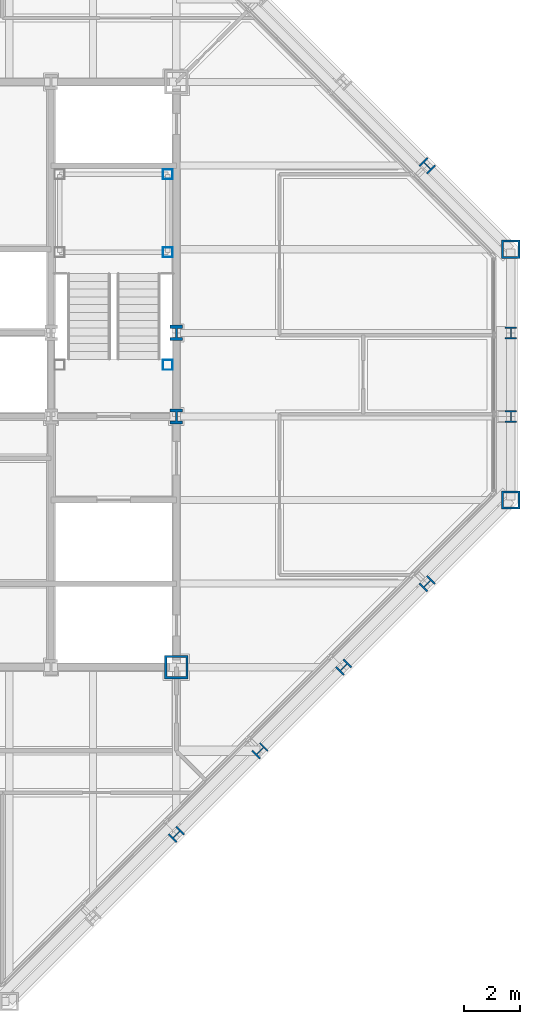
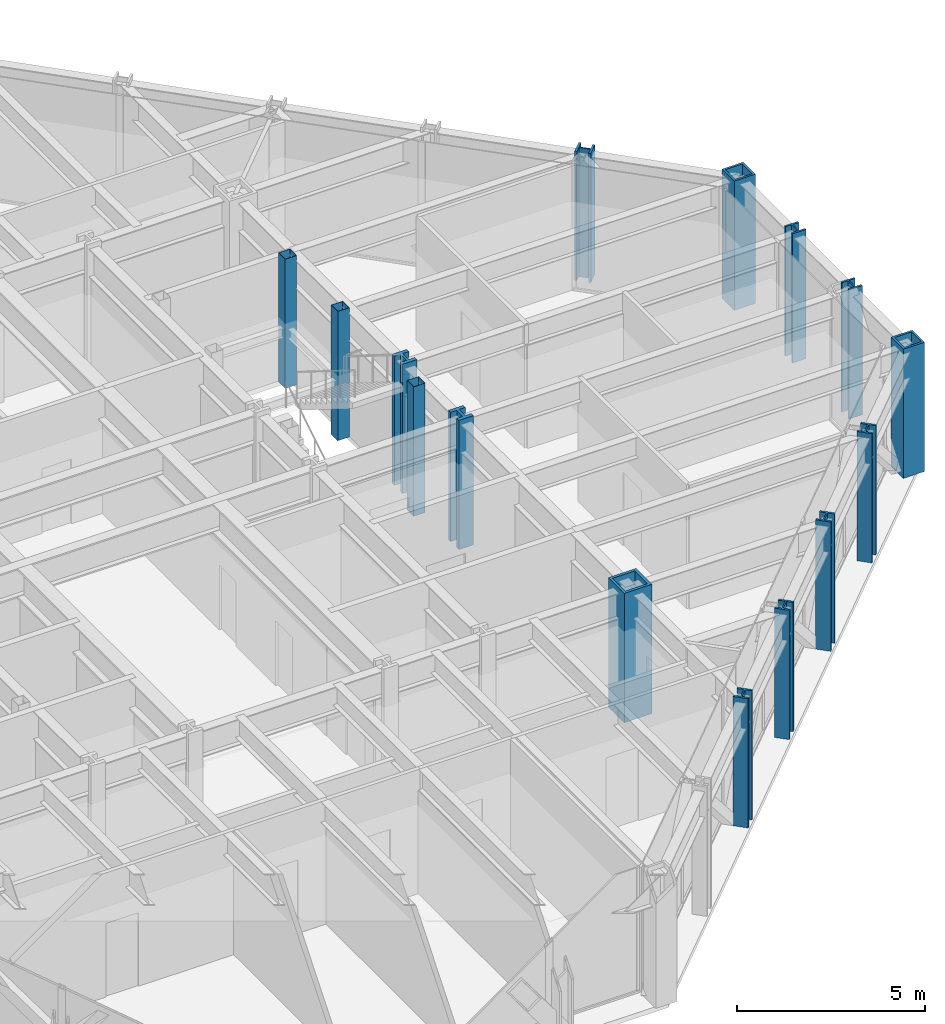
# One storey, part 3 of 15: 15 columns.
"""IFC4 building model written with IfcOpenShell, lengths in metres."""

from ifc_helpers import new_model, si_unit, direction, frame, origin, origin_2d, place, context, subcontext, project, spatial, hollow_rectangle, i_section, extrude, material, material_profile, profile_set, type_object, element, save


model = new_model("IFC4")

# Units and contexts
model_context = context("Model", 3, precision=1e-05, world=origin(), true_north=direction((0.0, 1.0)))
body_context = subcontext(model_context, "Body", "Model", "MODEL_VIEW")
ifc_project = project(units=[si_unit("LENGTHUNIT", "METRE"), si_unit("AREAUNIT", "SQUARE_METRE"), si_unit("VOLUMEUNIT", "CUBIC_METRE"), si_unit("PLANEANGLEUNIT", "RADIAN"), si_unit("MASSUNIT", "GRAM", prefix="KILO")], contexts=[model_context])

# Site, building, storey
site_placement = place(None, origin())
site = spatial("IfcSite", under=ifc_project, at=site_placement, CompositionType="ELEMENT")
building_placement = place(site_placement, origin())
building = spatial("IfcBuilding", under=site, at=building_placement, Name="Chuquiago Exchange Tower", CompositionType="ELEMENT")
storey_placement = place(building_placement, frame((0.0, 0.0, 274.800048828125)))
storey = spatial("IfcBuildingStorey", under=building, at=storey_placement, Name="L61", CompositionType="ELEMENT", Elevation=274.800048828125)

# Columns
ifc_material_1 = material(Name="Steel ASTM A992", Category="steel")
ifc_material_profile_1 = material_profile(ifc_material_1, i_section(OverallWidth=0.411376953125, OverallDepth=0.434326171875, WebThickness=0.035888671875, FlangeThickness=0.057373046875, at=origin_2d()), Name="W14X311")
ifc_profile_set_1 = profile_set([ifc_material_profile_1], Name="Steel ASTM A992")
column_type_1 = type_object("IfcColumnType", Name="C5 W14X311", PredefinedType="COLUMN", material=ifc_profile_set_1)
for number, where, z_axis, x_axis, name in (
    (1, (45.0, 21.0, 0.0), (0.0, 0.0, 1.0), (1.0, 0.0, 0.0), "COL-L61-45_21"),
    (2, (45.0, 24.0, 0.0), (0.0, 0.0, 1.0), (1.0, 0.0, 0.0), "COL-L61-45_24"),
):
    element("IfcColumn", number, at=place(storey_placement, frame(where, z_axis=z_axis, x_axis=x_axis)), inside=storey, type_object=column_type_1, Name=name, PredefinedType="COLUMN", context=body_context, shape_type="SweptSolid", body=[
        extrude(i_section(OverallWidth=0.411376953125, OverallDepth=0.434326171875, WebThickness=0.035888671875, FlangeThickness=0.057373046875, at=origin_2d()), origin(), (0.0, 0.0, 1.0), 4.199951171875),
    ])
ifc_material_2 = material(Name="Steel ASTM A992", Category="steel")
ifc_material_profile_2 = material_profile(ifc_material_2, i_section(OverallWidth=0.449462890625, OverallDepth=0.548583984375, WebThickness=0.07177734375, FlangeThickness=0.11474609375, at=origin_2d()), Name="W14X665")
ifc_profile_set_2 = profile_set([ifc_material_profile_2], Name="Steel ASTM A992")
column_type_2 = type_object("IfcColumnType", Name="CC5 W14X665", PredefinedType="COLUMN", material=ifc_profile_set_2)
for number, where, z_axis, x_axis, name in (
    (3, (33.0, 21.0, 0.0), (0.0, 0.0, 1.0), (1.0, 0.0, 0.0), "CCOL-L61-33_21"),
    (4, (33.0, 24.0, 0.0), (0.0, 0.0, 1.0), (1.0, 0.0, 0.0), "CCOL-L61-33_24"),
):
    element("IfcColumn", number, at=place(storey_placement, frame(where, z_axis=z_axis, x_axis=x_axis)), inside=storey, type_object=column_type_2, Name=name, PredefinedType="COLUMN", context=body_context, shape_type="SweptSolid", body=[
        extrude(i_section(OverallWidth=0.449462890625, OverallDepth=0.548583984375, WebThickness=0.07177734375, FlangeThickness=0.11474609375, at=origin_2d()), origin(), (0.0, 0.0, 1.0), 4.199951171875),
    ])
ifc_material_3 = material(Name="Steel ASTM A572 Grade 50", Category="steel")
ifc_material_profile_3 = material_profile(ifc_material_3, hollow_rectangle(XDim=0.85009765625, YDim=0.85009765625, WallThickness=0.0849609375, at=origin_2d()), Name="BOX850X850X85")
ifc_profile_set_3 = profile_set([ifc_material_profile_3], Name="Steel ASTM A572 Grade 50")
column_type_3 = type_object("IfcColumnType", Name="CC6 BOX850X850X85", PredefinedType="COLUMN", material=ifc_profile_set_3)
column_placement = place(storey_placement, frame((33.0, 12.0, 0.0), z_axis=(0.0, 0.0, 1.0), x_axis=(1.0, 0.0, 0.0)))
element("IfcColumn", 5, at=column_placement, inside=storey, type_object=column_type_3, Name="CCOL-L61-33_12", PredefinedType="COLUMN", context=body_context, shape_type="SweptSolid", body=[
    extrude(hollow_rectangle(XDim=0.85009765625, YDim=0.85009765625, WallThickness=0.0849609375, at=origin_2d()), origin(), (0.0, 0.0, 1.0), 4.199951171875),
])
ifc_material_4 = material(Name="Steel ASTM A992", Category="steel")
ifc_material_profile_4 = material_profile(ifc_material_4, i_section(OverallWidth=0.41650390625, OverallDepth=0.444580078125, WebThickness=0.0390625, FlangeThickness=0.062744140625, at=origin_2d()), Name="W14X342")
ifc_profile_set_4 = profile_set([ifc_material_profile_4], Name="Steel ASTM A992")
column_type_4 = type_object("IfcColumnType", Name="CK5 W14X342", PredefinedType="COLUMN", material=ifc_profile_set_4)
for number, where, z_axis, x_axis, name in (
    (6, (33.0, 6.0, 0.0), (0.0, 0.0, 1.0), (0.707106781187, -0.707106781187, 0.0), "COL-L61-33_6"),
    (7, (36.0, 9.0, 0.0), (0.0, 0.0, 1.0), (0.707106781187, -0.707106781187, 0.0), "COL-L61-36_9"),
    (8, (39.0, 12.0, 0.0), (0.0, 0.0, 1.0), (0.707106781187, -0.707106781187, 0.0), "COL-L61-39_12"),
    (9, (42.0, 15.0, 0.0), (0.0, 0.0, 1.0), (0.707106781187, -0.707106781187, 0.0), "COL-L61-42_15"),
    (10, (42.0, 30.0, 0.0), (0.0, 0.0, 1.0), (0.707106781187, 0.707106781187, 0.0), "COL-L61-42_30"),
):
    element("IfcColumn", number, at=place(storey_placement, frame(where, z_axis=z_axis, x_axis=x_axis)), inside=storey, type_object=column_type_4, Name=name, PredefinedType="COLUMN", context=body_context, shape_type="SweptSolid", body=[
        extrude(i_section(OverallWidth=0.41650390625, OverallDepth=0.444580078125, WebThickness=0.0390625, FlangeThickness=0.062744140625, at=origin_2d()), origin(), (0.0, 0.0, 1.0), 4.199951171875),
    ])
ifc_material_5 = material(Name="Steel ASTM A572 Grade 50", Category="steel")
ifc_material_profile_5 = material_profile(ifc_material_5, hollow_rectangle(XDim=0.64990234375, YDim=0.64990234375, WallThickness=0.06494140625, at=origin_2d()), Name="BOX650X650X65")
ifc_profile_set_5 = profile_set([ifc_material_profile_5], Name="Steel ASTM A572 Grade 50")
column_type_5 = type_object("IfcColumnType", Name="CN2 BOX650X650X65", PredefinedType="COLUMN", material=ifc_profile_set_5)
for number, where, z_axis, x_axis, name in (
    (11, (45.0, 18.0, 0.0), (0.0, 0.0, 1.0), (1.0, 0.0, 0.0), "COL-L61-45_18"),
    (12, (45.0, 27.0, 0.0), (0.0, 0.0, 1.0), (1.0, 0.0, 0.0), "COL-L61-45_27"),
):
    element("IfcColumn", number, at=place(storey_placement, frame(where, z_axis=z_axis, x_axis=x_axis)), inside=storey, type_object=column_type_5, Name=name, PredefinedType="COLUMN", context=body_context, shape_type="SweptSolid", body=[
        extrude(hollow_rectangle(XDim=0.64990234375, YDim=0.64990234375, WallThickness=0.06494140625, at=origin_2d()), origin(), (0.0, 0.0, 1.0), 4.199951171875),
    ])
ifc_material_6 = material(Name="Steel ASTM A500 Grade C", Category="steel")
ifc_material_profile_6 = material_profile(ifc_material_6, hollow_rectangle(XDim=0.355712890625, YDim=0.355712890625, WallThickness=0.0087890625, at=origin_2d()), Name="HSS14X14X3/8")
ifc_profile_set_6 = profile_set([ifc_material_profile_6], Name="Steel ASTM A500 Grade C")
column_type_6 = type_object("IfcColumnType", Name="PT1 HSS14X14X3/8", PredefinedType="COLUMN", material=ifc_profile_set_6)
for number, where, z_axis, x_axis, name in (
    (13, (32.68994140625, 29.68994140625, 0.0), (0.0, 0.0, 1.0), (1.0, 0.0, 0.0), "Stair ST2 L61 landing post"),
    (14, (32.68994140625, 26.889892578125, 0.0), (0.0, 0.0, 1.0), (1.0, 0.0, 0.0), "Stair ST2 L61 landing post"),
    (15, (32.68994140625, 22.85009765625, 0.0), (0.0, 0.0, 1.0), (1.0, 0.0, 0.0), "Stair ST2 L61 landing post"),
):
    element("IfcColumn", number, at=place(storey_placement, frame(where, z_axis=z_axis, x_axis=x_axis)), inside=storey, type_object=column_type_6, Name=name, PredefinedType="COLUMN", context=body_context, shape_type="SweptSolid", body=[
        extrude(hollow_rectangle(XDim=0.355712890625, YDim=0.355712890625, WallThickness=0.0087890625, at=origin_2d()), origin(), (0.0, 0.0, 1.0), 4.199951171875),
    ])

save(model, "model.ifc")
